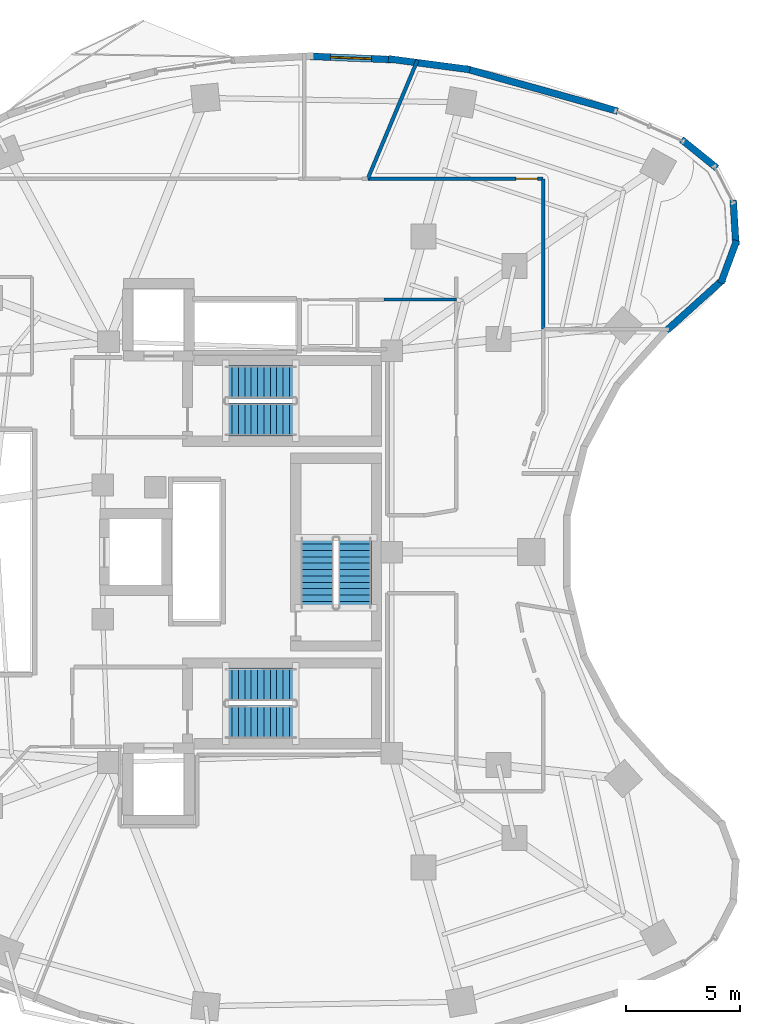
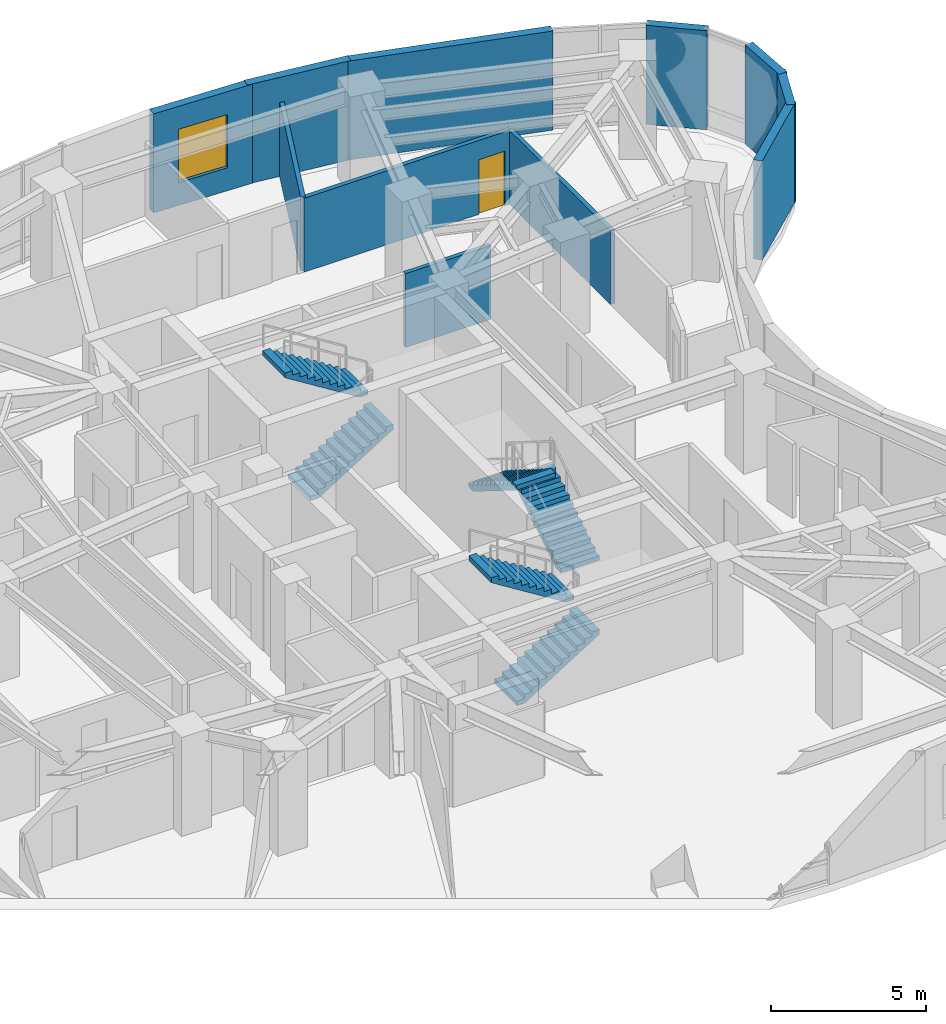
# One storey, part 11 of 14: 11 walls, 6 stair flights, 1 door, 1 window, 2 openings, 3 elements without a shape of their own.
"""IFC4 building model written with IfcOpenShell, lengths in metres."""

from ifc_helpers import new_model, si_unit, direction, frame, frame_2d, origin, place, context, subcontext, project, spatial, polyline, rectangle, outline, extrude, material, layer, layer_set, type_object, element, fill, aggregate, save


model = new_model("IFC4")

# Units and contexts
model_context = context("Model", 3, precision=1e-05, world=origin(), true_north=direction((0.0, 1.0)))
body_context = subcontext(model_context, "Body", "Model", "MODEL_VIEW")
ifc_project = project(units=[si_unit("LENGTHUNIT", "METRE"), si_unit("AREAUNIT", "SQUARE_METRE"), si_unit("VOLUMEUNIT", "CUBIC_METRE"), si_unit("PLANEANGLEUNIT", "RADIAN"), si_unit("MASSUNIT", "GRAM", prefix="KILO")], contexts=[model_context])

# Site, building, storey
site_placement = place(None, origin())
site = spatial("IfcSite", under=ifc_project, at=site_placement, CompositionType="ELEMENT")
building_placement = place(site_placement, origin())
building = spatial("IfcBuilding", under=site, at=building_placement, Name="Korentha Bioscience Tower", CompositionType="ELEMENT")
storey_placement = place(building_placement, frame((0.0, 0.0, 102.60009765625)))
storey = spatial("IfcBuildingStorey", under=building, at=storey_placement, Name="L23", CompositionType="ELEMENT", Elevation=102.60009765625)

# Wall
ifc_material_1 = material(Name="Double-Stud Acoustic Gypsum", Category="gypsum")
ifc_layer_1 = layer(ifc_material_1, 0.14990234375, Name="Double-Stud Acoustic Gypsum")
ifc_layer_set_1 = layer_set([ifc_layer_1], Name="Double-Stud Acoustic Gypsum (IW-L150)")
wall_type_1 = type_object("IfcWallType", Name="Acoustic Laboratory Partition Wall 150", PredefinedType="PARTITIONING", material=ifc_layer_set_1)
wall_1_placement = place(storey_placement, frame((37.2099609375, 38.10009765625, 0.0), z_axis=(0.0, 0.0, 1.0), x_axis=(1.0, 0.0, 0.0)))
element("IfcWall", 1, at=wall_1_placement, inside=storey, type_object=wall_type_1, Name="L23 Interior Partition 057", PredefinedType="PARTITIONING", context=body_context, shape_type="SweptSolid", body=[
    extrude(rectangle(XDim=3.179931640625, YDim=0.14990234375, at=frame_2d((1.58984375, 0.0))), origin(), (0.0, 0.0, 1.0), 2.909912109375),
])

# Wall, opening, door
ifc_material_2 = material(Name="Gypsum-Clad Steel Stud", Category="steel")
ifc_layer_2 = layer(ifc_material_2, 0.159912109375, Name="Gypsum-Clad Steel Stud")
ifc_layer_set_2 = layer_set([ifc_layer_2], Name="Gypsum-Clad Steel Stud (IW-C160)")
wall_type_2 = type_object("IfcWallType", Name="Fire-Rated Corridor Partition Wall 160", PredefinedType="PARTITIONING", material=ifc_layer_set_2)
wall_2_placement = place(storey_placement, frame((44.199951171875, 43.409912109375, 0.0), z_axis=(0.0, 0.0, 1.0), x_axis=(-1.0, 0.0, 0.0)))
wall_2 = element("IfcWall", 2, at=wall_2_placement, inside=storey, type_object=wall_type_2, Name="L23 Biosafety Equipment Store 06 Entrance Wall", PredefinedType="PARTITIONING", context=body_context, shape_type="SweptSolid", body=[
    extrude(rectangle(XDim=7.704833984375, YDim=0.159912109375, at=frame_2d((3.8525390625, 0.0))), origin(), (0.0, 0.0, 1.0), 2.909912109375),
])
opening_1_placement = place(wall_2_placement, frame((0.239990234375, 0.0, 0.0)))
opening_1 = element("IfcOpeningElement", 3, at=opening_1_placement, cuts=wall_2, Name="Opening ID-10R", PredefinedType="OPENING", context=body_context, shape_type="SweptSolid", body=[
    extrude(rectangle(XDim=0.949951171875, YDim=2.14990234375, at=frame_2d((0.47509765625, 1.074951171875))), frame((0.0, 0.0947265625, 0.0), z_axis=(0.0, -1.0, 0.0), x_axis=(1.0, 0.0, 0.0)), (0.0, 0.0, 1.0), 0.189697265625),
])
ifc_material_3 = material(Name="Phenolic Laminate Timber Core", Category="wood")
door_type = type_object("IfcDoorType", Name="Laboratory Single Leaf Door 950x2150 Right", OperationType="SINGLE_SWING_RIGHT", PredefinedType="DOOR", material=ifc_material_3)
door_placement = place(opening_1_placement, origin())
door = element("IfcDoor", 4, at=door_placement, inside=storey, type_object=door_type, Name="L23 Biosafety Equipment Store 06 Door", OperationType="SINGLE_SWING_RIGHT", OverallHeight=2.14990234375, OverallWidth=0.949951171875, PredefinedType="DOOR", context=body_context, shape_type="SweptSolid", body=[
    extrude(rectangle(XDim=0.949951171875, YDim=2.14990234375, at=frame_2d((0.47509765625, 1.074951171875))), frame((0.0, 0.02490234375, 0.0), z_axis=(0.0, -1.0, 0.0), x_axis=(1.0, 0.0, 0.0)), (0.0, 0.0, 1.0), 0.050048828125),
])
fill(opening_1, door)

# Walls
wall_3_placement = place(storey_placement, frame((44.2099609375, 36.80810546875, 0.0), z_axis=(0.0, 0.0, 1.0), x_axis=(0.0, 1.0, 0.0)))
element("IfcWall", 5, at=wall_3_placement, inside=storey, type_object=wall_type_2, Name="L23 Interior Partition 059", PredefinedType="PARTITIONING", context=body_context, shape_type="SweptSolid", body=[
    extrude(rectangle(XDim=6.591796875, YDim=0.159912109375, at=frame_2d((3.2958984375, 0.0))), origin(), (0.0, 0.0, 1.0), 2.909912109375),
])
wall_4_placement = place(storey_placement, frame((36.4951171875, 43.409912109375, 0.0), z_axis=(0.0, 0.0, 1.0), x_axis=(0.386877123977, 0.922131276415, 0.0)))
element("IfcWall", 6, at=wall_4_placement, inside=storey, type_object=wall_type_2, Name="L23 Interior Partition 060", PredefinedType="PARTITIONING", context=body_context, shape_type="SweptSolid", body=[
    extrude(rectangle(XDim=5.653564453125, YDim=0.159912109375, at=frame_2d((2.82666015625, 0.0))), origin(), (0.0, 0.0, 1.0), 2.909912109375),
])

# Wall, opening, window
ifc_material_4 = material(Name="Honed Limestone Precast Concrete C40", Category="masonry")
ifc_layer_3 = layer(ifc_material_4, 0.300048828125, Name="Honed Limestone Precast Concrete C40")
ifc_layer_set_3 = layer_set([ifc_layer_3], Name="Honed Limestone Precast Concrete C40 (EW-ST300)")
wall_type_3 = type_object("IfcWallType", Name="Honed Limestone Cavity Spandrel Wall 300", PredefinedType="STANDARD", material=ifc_layer_set_3)
wall_5_placement = place(storey_placement, frame((37.5537109375, 48.64697265625, 0.0), z_axis=(0.0, 0.0, 1.0), x_axis=(-0.999210691503, 0.039723972445, 0.0)))
wall_5 = element("IfcWall", 7, at=wall_5_placement, inside=storey, type_object=wall_type_3, Name="L23 Honed Limestone Spandrel Wall 05", PredefinedType="STANDARD", context=body_context, shape_type="SweptSolid", body=[
    extrude(rectangle(XDim=3.595458984375, YDim=0.300048828125, at=frame_2d((1.7978515625, 0.0))), origin(), (0.0, 0.0, 1.0), 3.89990234375),
])
opening_2_placement = place(wall_5_placement, frame((0.897705078125, 0.0, 0.89990234375)))
opening_2 = element("IfcOpeningElement", 8, at=opening_2_placement, cuts=wall_5, Name="Opening WN-01", PredefinedType="OPENING", context=body_context, shape_type="SweptSolid", body=[
    extrude(rectangle(XDim=1.800048828125, YDim=2.10009765625, at=frame_2d((0.89990234375, 1.050048828125))), frame((0.0, 0.1650390625, 0.0), z_axis=(0.0, -1.0, 0.0), x_axis=(1.0, 0.0, 0.0)), (0.0, 0.0, 1.0), 0.329833984375),
])
ifc_material_5 = material(Name="Thermally Broken Aluminium Triple Glazing", Category="aluminium")
window_type = type_object("IfcWindowType", Name="Triple-Glazed Fixed Bioscience Window 1800x2100", PartitioningType="SINGLE_PANEL", PredefinedType="WINDOW", material=ifc_material_5)
window_placement = place(opening_2_placement, origin())
window = element("IfcWindow", 9, at=window_placement, inside=storey, type_object=window_type, Name="L23 Facade Window 05", OverallHeight=2.10009765625, OverallWidth=1.800048828125, PartitioningType="SINGLE_PANEL", PredefinedType="WINDOW", context=body_context, shape_type="SweptSolid", body=[
    extrude(rectangle(XDim=1.800048828125, YDim=2.10009765625, at=frame_2d((0.89990234375, 1.050048828125))), frame((0.0, 0.030029296875, 0.0), z_axis=(0.0, -1.0, 0.0), x_axis=(1.0, 0.0, 0.0)), (0.0, 0.0, 1.0), 0.06005859375),
])
fill(opening_2, window)

# Walls
wall_6_placement = place(storey_placement, frame((47.47900390625, 46.380126953125, 0.0), z_axis=(0.0, 0.0, 1.0), x_axis=(-0.963116215402, 0.269085777459, 0.0)))
element("IfcWall", 10, at=wall_6_placement, inside=storey, type_object=wall_type_3, Name="L23 Limestone Perimeter Closure Wall 02", PredefinedType="STANDARD", context=body_context, shape_type="SweptSolid", body=[
    extrude(rectangle(XDim=6.923583984375, YDim=0.300048828125, at=frame_2d((3.4619140625, 0.0))), origin(), (0.0, 0.0, 1.0), 3.89990234375),
])
wall_7_placement = place(storey_placement, frame((40.986572265625, 48.20703125, 0.0), z_axis=(0.0, 0.0, 1.0), x_axis=(-0.991372969521, 0.131071107816, 0.0)))
element("IfcWall", 11, at=wall_7_placement, inside=storey, type_object=wall_type_3, Name="L23 Limestone Perimeter Closure Wall 04", PredefinedType="STANDARD", context=body_context, shape_type="SweptSolid", body=[
    extrude(rectangle(XDim=3.615478515625, YDim=0.300048828125, at=frame_2d((1.8076171875, 0.0))), origin(), (0.0, 0.0, 1.0), 3.89990234375),
])
wall_8_placement = place(storey_placement, frame((49.51318359375, 36.6357421875, 0.0), z_axis=(0.0, 0.0, 1.0), x_axis=(0.74255963233, 0.669779958221, 0.0)))
element("IfcWall", 12, at=wall_8_placement, inside=storey, type_object=wall_type_3, Name="L23 Limestone Perimeter Closure Wall 57", PredefinedType="STANDARD", context=body_context, shape_type="SweptSolid", body=[
    extrude(rectangle(XDim=3.5390625, YDim=0.300048828125, at=frame_2d((1.76953125, 0.0))), origin(), (0.0, 0.0, 1.0), 3.89990234375),
])
wall_9_placement = place(storey_placement, frame((52.016357421875, 38.822265625, 0.0), z_axis=(0.0, 0.0, 1.0), x_axis=(0.347370087337, 0.937728117539, 0.0)))
element("IfcWall", 13, at=wall_9_placement, inside=storey, type_object=wall_type_3, Name="L23 Limestone Perimeter Closure Wall 59", PredefinedType="STANDARD", context=body_context, shape_type="SweptSolid", body=[
    extrude(rectangle(XDim=1.997314453125, YDim=0.300048828125, at=frame_2d((0.99853515625, 0.0))), origin(), (0.0, 0.0, 1.0), 3.89990234375),
])
for number, where, z_axis, x_axis, name in (
    (14, (52.678955078125, 40.4833984375, 0.0), (0.0, 0.0, 1.0), (-0.060255200356, 0.998183004679, 0.0), "L23 Limestone Perimeter Closure Wall 60"),
    (15, (51.83642578125, 43.880615234375, 0.0), (0.0, 0.0, 1.0), (-0.777338789647, 0.629082193445, 0.0), "L23 Limestone Perimeter Closure Wall 62"),
):
    element("IfcWall", number, at=place(storey_placement, frame(where, z_axis=z_axis, x_axis=x_axis)), inside=storey, type_object=wall_type_3, Name=name, PredefinedType="STANDARD", context=body_context, shape_type="SweptSolid", body=[
        extrude(rectangle(XDim=1.99755859375, YDim=0.300048828125, at=frame_2d((0.998779296875, 0.0))), origin(), (0.0, 0.0, 1.0), 3.89990234375),
    ])

# Stair, stair flights
ifc_material_6 = material(Name="Precast Concrete C50", Category="concrete")
stair_type = type_object("IfcStairType", Name="Core Exit Dog-Leg Stair 1450", PredefinedType="HALF_TURN_STAIR", material=ifc_material_6)
stair_1_placement = place(storey_placement, origin())
stair_1 = element("IfcStair", 16, at=stair_1_placement, inside=storey, type_object=stair_type, Name="L23 Tower North Pressurized Exit Stair ST-1", PredefinedType="HALF_TURN_STAIR")
stair_flight_type = type_object("IfcStairFlightType", Name="Core Exit Dog-Leg Stair 1450 Flight", PredefinedType="STRAIGHT", material=ifc_material_6)
stair_flight_1_placement = place(storey_placement, frame((30.25, 32.824951171875, 0.0), z_axis=(0.0, 0.0, 1.0), x_axis=(1.0, 0.0, 0.0)))
stair_flight_1 = element("IfcStairFlight", 17, at=stair_flight_1_placement, type_object=stair_flight_type, Name="ST-1 flight 1", NumberOfRisers=12, NumberOfTreads=11, PredefinedType="STRAIGHT", RiserHeight=0.175, TreadLength=0.28, context=body_context, shape_type="SweptSolid", body=[
    extrude(outline(polyline([(0.0, 0.0), (0.0, 0.175048828125), (0.280029296875, 0.175048828125), (0.280029296875, 0.35009765625), (0.56005859375, 0.35009765625), (0.56005859375, 0.52490234375), (0.840087890625, 0.52490234375), (0.840087890625, 0.699951171875), (1.1201171875, 0.699951171875), (1.1201171875, 0.875), (1.39990234375, 0.875), (1.39990234375, 1.050048828125), (1.679931640625, 1.050048828125), (1.679931640625, 1.22509765625), (1.9599609375, 1.22509765625), (1.9599609375, 1.39990234375), (2.239990234375, 1.39990234375), (2.239990234375, 1.574951171875), (2.52001953125, 1.574951171875), (2.52001953125, 1.75), (2.800048828125, 1.75), (2.800048828125, 1.925048828125), (3.080078125, 1.925048828125), (3.080078125, 2.10009765625), (3.080078125, 1.736328125), (0.3017578125, 0.0), (0.0, 0.0)])), frame((0.0, 0.72509765625, 0.0), z_axis=(0.0, -1.0, 0.0), x_axis=(1.0, 0.0, 0.0)), (0.0, 0.0, 1.0), 1.449951171875),
])
stair_flight_2_placement = place(storey_placement, frame((33.330078125, 34.47509765625, 2.099853515625), z_axis=(0.0, 0.0, 1.0), x_axis=(-1.0, 0.0, 0.0)))
stair_flight_2 = element("IfcStairFlight", 18, at=stair_flight_2_placement, type_object=stair_flight_type, Name="ST-1 flight 2", NumberOfRisers=12, NumberOfTreads=11, PredefinedType="STRAIGHT", RiserHeight=0.175, TreadLength=0.28, context=body_context, shape_type="SweptSolid", body=[
    extrude(outline(polyline([(0.0, 0.0), (0.0, 0.175048828125), (0.280029296875, 0.175048828125), (0.280029296875, 0.35009765625), (0.56005859375, 0.35009765625), (0.56005859375, 0.52490234375), (0.840087890625, 0.52490234375), (0.840087890625, 0.699951171875), (1.1201171875, 0.699951171875), (1.1201171875, 0.875), (1.39990234375, 0.875), (1.39990234375, 1.050048828125), (1.679931640625, 1.050048828125), (1.679931640625, 1.22509765625), (1.9599609375, 1.22509765625), (1.9599609375, 1.39990234375), (2.239990234375, 1.39990234375), (2.239990234375, 1.574951171875), (2.52001953125, 1.574951171875), (2.52001953125, 1.75), (2.800048828125, 1.75), (2.800048828125, 1.925048828125), (3.080078125, 1.925048828125), (3.080078125, 2.10009765625), (3.080078125, 1.736328125), (0.3017578125, 0.0), (0.0, 0.0)])), frame((0.0, 0.72509765625, 0.0), z_axis=(0.0, -1.0, 0.0), x_axis=(1.0, 0.0, 0.0)), (0.0, 0.0, 1.0), 1.449951171875),
])
aggregate(stair_1, [stair_flight_1, stair_flight_2])

stair_2_placement = place(storey_placement, origin())
stair_2 = element("IfcStair", 19, at=stair_2_placement, inside=storey, type_object=stair_type, Name="L23 Tower South Pressurized Exit Stair ST-2", PredefinedType="HALF_TURN_STAIR")
stair_flight_3_placement = place(storey_placement, frame((30.25, 19.52490234375, 0.0), z_axis=(0.0, 0.0, 1.0), x_axis=(1.0, 0.0, 0.0)))
stair_flight_3 = element("IfcStairFlight", 20, at=stair_flight_3_placement, type_object=stair_flight_type, Name="ST-2 flight 1", NumberOfRisers=12, NumberOfTreads=11, PredefinedType="STRAIGHT", RiserHeight=0.175, TreadLength=0.28, context=body_context, shape_type="SweptSolid", body=[
    extrude(outline(polyline([(0.0, 0.0), (0.0, 0.175048828125), (0.280029296875, 0.175048828125), (0.280029296875, 0.35009765625), (0.56005859375, 0.35009765625), (0.56005859375, 0.52490234375), (0.840087890625, 0.52490234375), (0.840087890625, 0.699951171875), (1.1201171875, 0.699951171875), (1.1201171875, 0.875), (1.39990234375, 0.875), (1.39990234375, 1.050048828125), (1.679931640625, 1.050048828125), (1.679931640625, 1.22509765625), (1.9599609375, 1.22509765625), (1.9599609375, 1.39990234375), (2.239990234375, 1.39990234375), (2.239990234375, 1.574951171875), (2.52001953125, 1.574951171875), (2.52001953125, 1.75), (2.800048828125, 1.75), (2.800048828125, 1.925048828125), (3.080078125, 1.925048828125), (3.080078125, 2.10009765625), (3.080078125, 1.736328125), (0.3017578125, 0.0), (0.0, 0.0)])), frame((0.0, 0.72509765625, 0.0), z_axis=(0.0, -1.0, 0.0), x_axis=(1.0, 0.0, 0.0)), (0.0, 0.0, 1.0), 1.449951171875),
])
stair_flight_4_placement = place(storey_placement, frame((33.330078125, 21.175048828125, 2.099853515625), z_axis=(0.0, 0.0, 1.0), x_axis=(-1.0, 0.0, 0.0)))
stair_flight_4 = element("IfcStairFlight", 21, at=stair_flight_4_placement, type_object=stair_flight_type, Name="ST-2 flight 2", NumberOfRisers=12, NumberOfTreads=11, PredefinedType="STRAIGHT", RiserHeight=0.175, TreadLength=0.28, context=body_context, shape_type="SweptSolid", body=[
    extrude(outline(polyline([(0.0, 0.0), (0.0, 0.175048828125), (0.280029296875, 0.175048828125), (0.280029296875, 0.35009765625), (0.56005859375, 0.35009765625), (0.56005859375, 0.52490234375), (0.840087890625, 0.52490234375), (0.840087890625, 0.699951171875), (1.1201171875, 0.699951171875), (1.1201171875, 0.875), (1.39990234375, 0.875), (1.39990234375, 1.050048828125), (1.679931640625, 1.050048828125), (1.679931640625, 1.22509765625), (1.9599609375, 1.22509765625), (1.9599609375, 1.39990234375), (2.239990234375, 1.39990234375), (2.239990234375, 1.574951171875), (2.52001953125, 1.574951171875), (2.52001953125, 1.75), (2.800048828125, 1.75), (2.800048828125, 1.925048828125), (3.080078125, 1.925048828125), (3.080078125, 2.10009765625), (3.080078125, 1.736328125), (0.3017578125, 0.0), (0.0, 0.0)])), frame((0.0, 0.72509765625, 0.0), z_axis=(0.0, -1.0, 0.0), x_axis=(1.0, 0.0, 0.0)), (0.0, 0.0, 1.0), 1.449951171875),
])
aggregate(stair_2, [stair_flight_3, stair_flight_4])

stair_3_placement = place(storey_placement, origin())
stair_3 = element("IfcStair", 22, at=stair_3_placement, inside=storey, type_object=stair_type, Name="L23 Tower Central Pressurized Exit Stair ST-3", PredefinedType="HALF_TURN_STAIR")
stair_flight_5_placement = place(storey_placement, frame((35.925048828125, 24.550048828125, 0.0), z_axis=(0.0, 0.0, 1.0), x_axis=(0.0, 1.0, 0.0)))
stair_flight_5 = element("IfcStairFlight", 23, at=stair_flight_5_placement, type_object=stair_flight_type, Name="ST-3 flight 1", NumberOfRisers=12, NumberOfTreads=11, PredefinedType="STRAIGHT", RiserHeight=0.175, TreadLength=0.28, context=body_context, shape_type="SweptSolid", body=[
    extrude(outline(polyline([(0.0, 0.0), (0.0, 0.175048828125), (0.280029296875, 0.175048828125), (0.280029296875, 0.35009765625), (0.56005859375, 0.35009765625), (0.56005859375, 0.52490234375), (0.840087890625, 0.52490234375), (0.840087890625, 0.699951171875), (1.1201171875, 0.699951171875), (1.1201171875, 0.875), (1.39990234375, 0.875), (1.39990234375, 1.050048828125), (1.679931640625, 1.050048828125), (1.679931640625, 1.22509765625), (1.9599609375, 1.22509765625), (1.9599609375, 1.39990234375), (2.239990234375, 1.39990234375), (2.239990234375, 1.574951171875), (2.52001953125, 1.574951171875), (2.52001953125, 1.75), (2.800048828125, 1.75), (2.800048828125, 1.925048828125), (3.080078125, 1.925048828125), (3.080078125, 2.10009765625), (3.080078125, 1.736328125), (0.3017578125, 0.0), (0.0, 0.0)])), frame((0.0, 0.72509765625, 0.0), z_axis=(0.0, -1.0, 0.0), x_axis=(1.0, 0.0, 0.0)), (0.0, 0.0, 1.0), 1.449951171875),
])
stair_flight_6_placement = place(storey_placement, frame((34.27490234375, 27.6298828125, 2.099853515625), z_axis=(0.0, 0.0, 1.0), x_axis=(0.0, -1.0, 0.0)))
stair_flight_6 = element("IfcStairFlight", 24, at=stair_flight_6_placement, type_object=stair_flight_type, Name="ST-3 flight 2", NumberOfRisers=12, NumberOfTreads=11, PredefinedType="STRAIGHT", RiserHeight=0.175, TreadLength=0.28, context=body_context, shape_type="SweptSolid", body=[
    extrude(outline(polyline([(0.0, 0.0), (0.0, 0.175048828125), (0.280029296875, 0.175048828125), (0.280029296875, 0.35009765625), (0.56005859375, 0.35009765625), (0.56005859375, 0.52490234375), (0.840087890625, 0.52490234375), (0.840087890625, 0.699951171875), (1.1201171875, 0.699951171875), (1.1201171875, 0.875), (1.39990234375, 0.875), (1.39990234375, 1.050048828125), (1.679931640625, 1.050048828125), (1.679931640625, 1.22509765625), (1.9599609375, 1.22509765625), (1.9599609375, 1.39990234375), (2.239990234375, 1.39990234375), (2.239990234375, 1.574951171875), (2.52001953125, 1.574951171875), (2.52001953125, 1.75), (2.800048828125, 1.75), (2.800048828125, 1.925048828125), (3.080078125, 1.925048828125), (3.080078125, 2.10009765625), (3.080078125, 1.736328125), (0.3017578125, 0.0), (0.0, 0.0)])), frame((0.0, 0.72509765625, 0.0), z_axis=(0.0, -1.0, 0.0), x_axis=(1.0, 0.0, 0.0)), (0.0, 0.0, 1.0), 1.449951171875),
])
aggregate(stair_3, [stair_flight_5, stair_flight_6])

save(model, "model.ifc")
